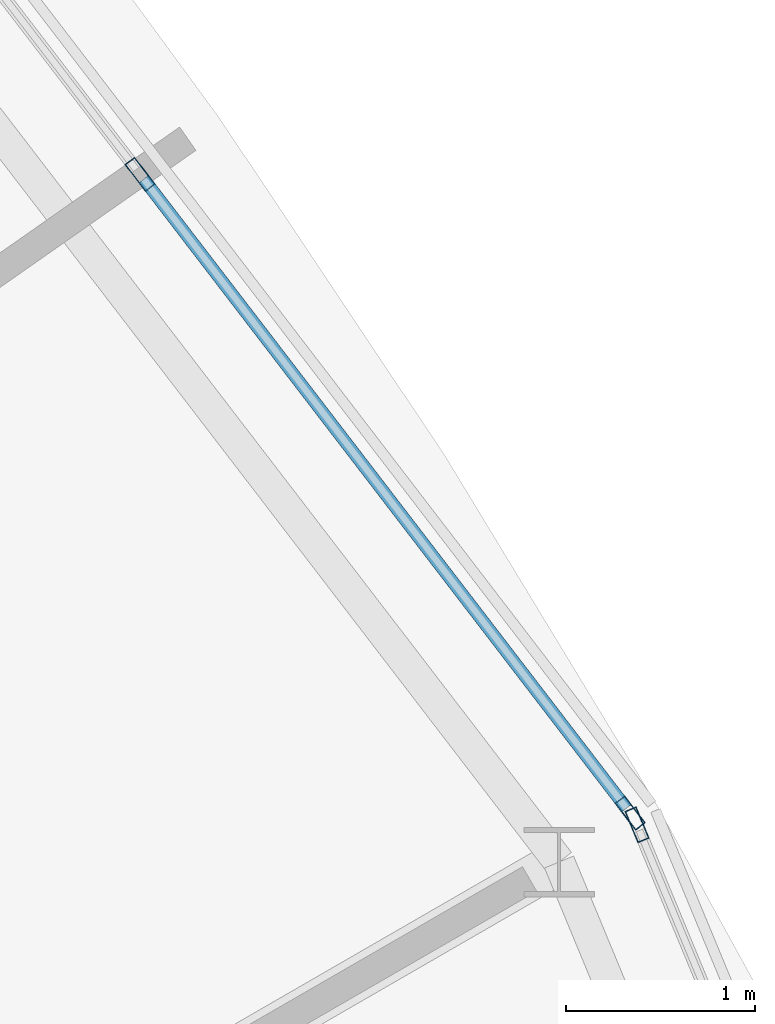
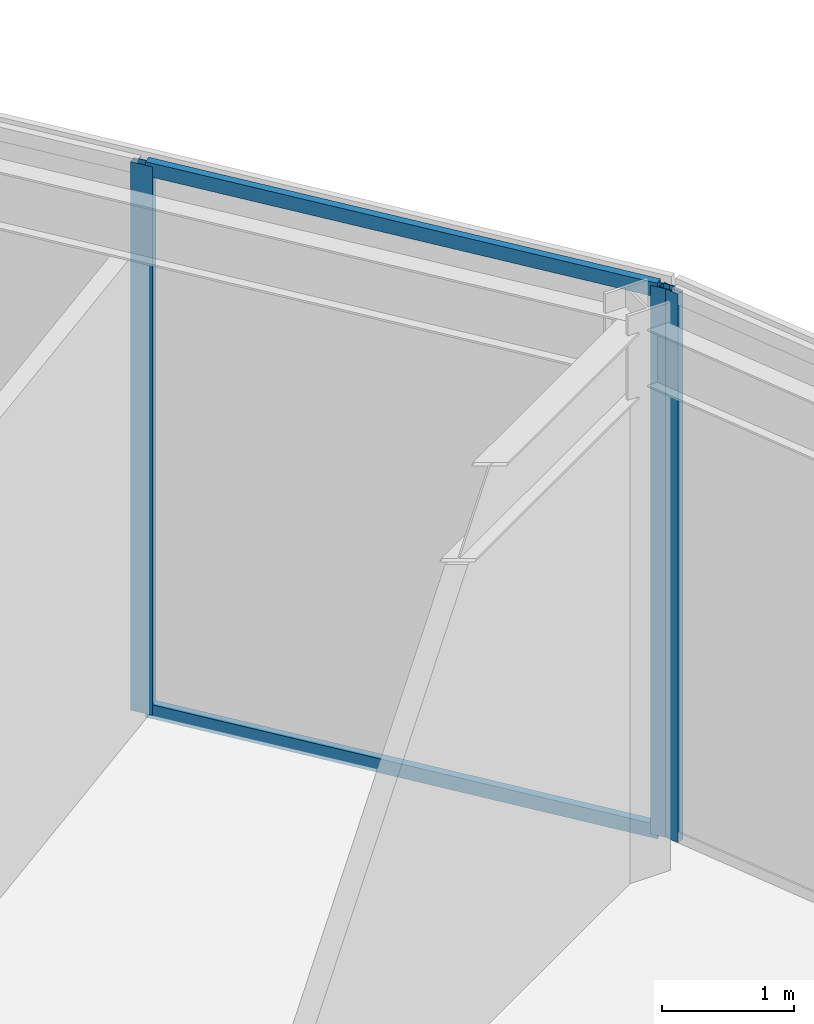
# One storey, part 88 of 168: 5 members, 2 elements without a shape of their own.
"""IFC4 building model written with IfcOpenShell, lengths in metres."""

from ifc_helpers import new_model, si_unit, direction, frame, origin, origin_2d, place, context, subcontext, project, spatial, hollow_rectangle, extrude, material, material_profile, profile_set, type_object, element, aggregate, save


model = new_model("IFC4")

# Units and contexts
model_context = context("Model", 3, precision=1e-05, world=origin(), true_north=direction((0.0, 1.0)))
body_context = subcontext(model_context, "Body", "Model", "MODEL_VIEW")
ifc_project = project(units=[si_unit("LENGTHUNIT", "METRE"), si_unit("AREAUNIT", "SQUARE_METRE"), si_unit("VOLUMEUNIT", "CUBIC_METRE"), si_unit("PLANEANGLEUNIT", "RADIAN"), si_unit("MASSUNIT", "GRAM", prefix="KILO")], contexts=[model_context])

# Site, building, storey
site_placement = place(None, origin())
site = spatial("IfcSite", under=ifc_project, at=site_placement, CompositionType="ELEMENT")
building_placement = place(site_placement, origin())
building = spatial("IfcBuilding", under=site, at=building_placement, Name="Almandine Court Research Institute", CompositionType="ELEMENT")
storey_placement = place(building_placement, origin())
storey = spatial("IfcBuildingStorey", under=building, at=storey_placement, Name="L00", CompositionType="ELEMENT", Elevation=0.0)

# Curtain wall, member
ifc_material_1 = material(Name="Unitised Curtain Wall Framing and Solar Glazing", Category="glass")
curtain_wall_type = type_object("IfcCurtainWallType", Name="CW-CWJ-17", PredefinedType="USERDEFINED", material=ifc_material_1)
curtain_wall_1_placement = place(storey_placement, origin())
curtain_wall_1 = element("IfcCurtainWall", 1, at=curtain_wall_1_placement, inside=storey, type_object=curtain_wall_type, Name="L00 Stacked-Ring Drum Outer Solar Jali Screen 01", ObjectType="SOLAR JALI SCREEN", PredefinedType="USERDEFINED")
ifc_material_2 = material(Name="Anodised Aluminium AW-6063-T6", Category="aluminium")
ifc_material_profile_1 = material_profile(ifc_material_2, hollow_rectangle(XDim=0.06494140625, YDim=0.179931640625, WallThickness=0.00390625, at=origin_2d()), Name="ALU RHS 65x180x4")
ifc_profile_set_1 = profile_set([ifc_material_profile_1], Name="Anodised Aluminium AW-6063-T6")
member_type_1 = type_object("IfcMemberType", Name="CWMul-65x180", PredefinedType="MULLION", material=ifc_profile_set_1)
member_1_placement = place(storey_placement, frame((129.761474609375, 80.64697265625, 0.0), z_axis=(0.0, 0.0, 1.0), x_axis=(0.923888124321, 0.382662689242, 0.0)))
member_1 = element("IfcMember", 2, at=member_1_placement, type_object=member_type_1, Name="CWJ-17 mullion 1", PredefinedType="MULLION", context=body_context, shape_type="SweptSolid", body=[
    extrude(hollow_rectangle(XDim=0.06494140625, YDim=0.179931640625, WallThickness=0.00390625, at=origin_2d()), origin(), (0.0, 0.0, 1.0), 5.070068359375),
])
aggregate(curtain_wall_1, [member_1])

# Curtain wall, members
curtain_wall_2_placement = place(storey_placement, origin())
curtain_wall_2 = element("IfcCurtainWall", 3, at=curtain_wall_2_placement, inside=storey, type_object=curtain_wall_type, Name="L00 Stacked-Ring Drum Outer Solar Jali Screen 02", ObjectType="SOLAR JALI SCREEN", PredefinedType="USERDEFINED")
member_2_placement = place(storey_placement, frame((127.132080078125, 84.088623046875, 0.0), z_axis=(0.0, 0.0, 1.0), x_axis=(0.793382586046, 0.608723313303, 0.0)))
member_2 = element("IfcMember", 4, at=member_2_placement, type_object=member_type_1, Name="CWJ-17 mullion 3", PredefinedType="MULLION", context=body_context, shape_type="SweptSolid", body=[
    extrude(hollow_rectangle(XDim=0.06494140625, YDim=0.179931640625, WallThickness=0.00390625, at=origin_2d()), origin(), (0.0, 0.0, 1.0), 5.070068359375),
])
member_3_placement = place(storey_placement, frame((129.72509765625, 80.708740234375, 0.0), z_axis=(0.0, 0.0, 1.0), x_axis=(0.793382586046, 0.608723313303, 0.0)))
member_3 = element("IfcMember", 5, at=member_3_placement, type_object=member_type_1, Name="CWJ-17 mullion 4", PredefinedType="MULLION", context=body_context, shape_type="SweptSolid", body=[
    extrude(hollow_rectangle(XDim=0.06494140625, YDim=0.179931640625, WallThickness=0.00390625, at=origin_2d()), origin(), (0.0, 0.0, 1.0), 5.070068359375),
])
ifc_material_profile_2 = material_profile(ifc_material_2, hollow_rectangle(XDim=0.06494140625, YDim=0.1298828125, WallThickness=0.00390625, at=origin_2d()), Name="ALU RHS 65x130x4")
ifc_profile_set_2 = profile_set([ifc_material_profile_2], Name="Anodised Aluminium AW-6063-T6")
member_type_2 = type_object("IfcMemberType", Name="CWTrn-65x130", PredefinedType="NOTDEFINED", material=ifc_profile_set_2)
member_4_placement = place(storey_placement, frame((127.15185546875, 84.06298828125, 0.032470703125), z_axis=(0.608689308041, -0.793408675449, 0.0), x_axis=(0.793408675449, 0.608689308041, 0.0)))
member_4 = element("IfcMember", 6, at=member_4_placement, type_object=member_type_2, Name="CWJ-17 transom 3.1", ObjectType="TRANSOM", PredefinedType="USERDEFINED", context=body_context, shape_type="SweptSolid", body=[
    extrude(hollow_rectangle(XDim=0.06494140625, YDim=0.1298828125, WallThickness=0.00390625, at=origin_2d()), origin(), (0.0, 0.0, 1.0), 4.195068359375),
])
member_5_placement = place(storey_placement, frame((127.15185546875, 84.06298828125, 5.03759765625), z_axis=(0.608689308041, -0.793408675449, 0.0), x_axis=(0.793408675449, 0.608689308041, 0.0)))
member_5 = element("IfcMember", 7, at=member_5_placement, type_object=member_type_2, Name="CWJ-17 transom 3.2", ObjectType="TRANSOM", PredefinedType="USERDEFINED", context=body_context, shape_type="SweptSolid", body=[
    extrude(hollow_rectangle(XDim=0.06494140625, YDim=0.1298828125, WallThickness=0.00390625, at=origin_2d()), origin(), (0.0, 0.0, 1.0), 4.195068359375),
])
aggregate(curtain_wall_2, [member_2, member_3, member_4, member_5])

save(model, "model.ifc")
